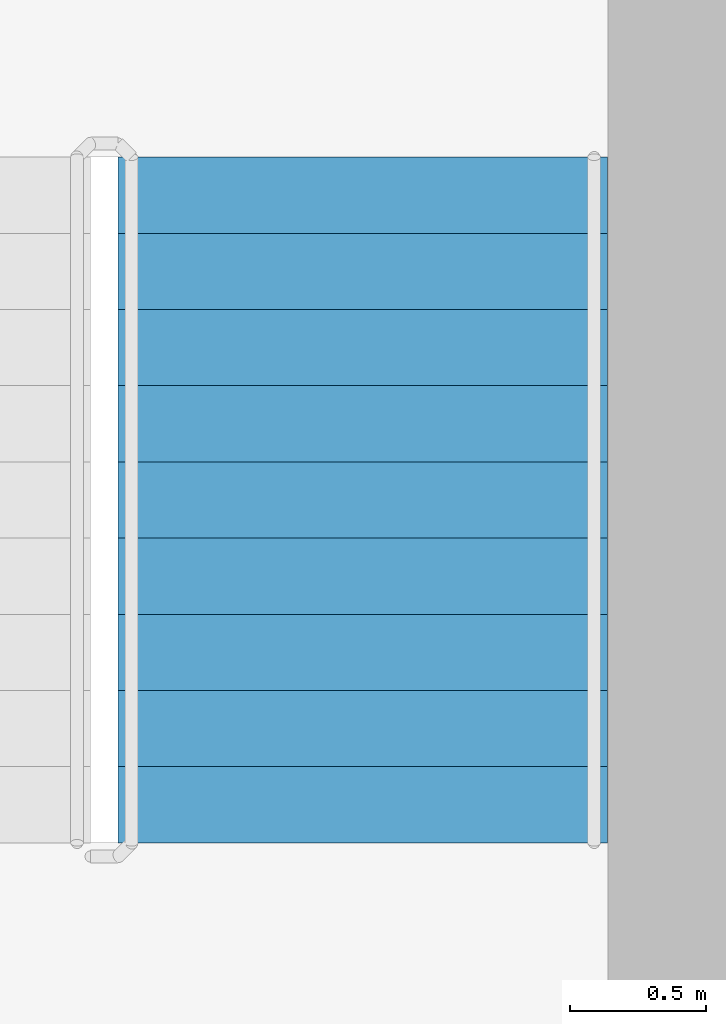
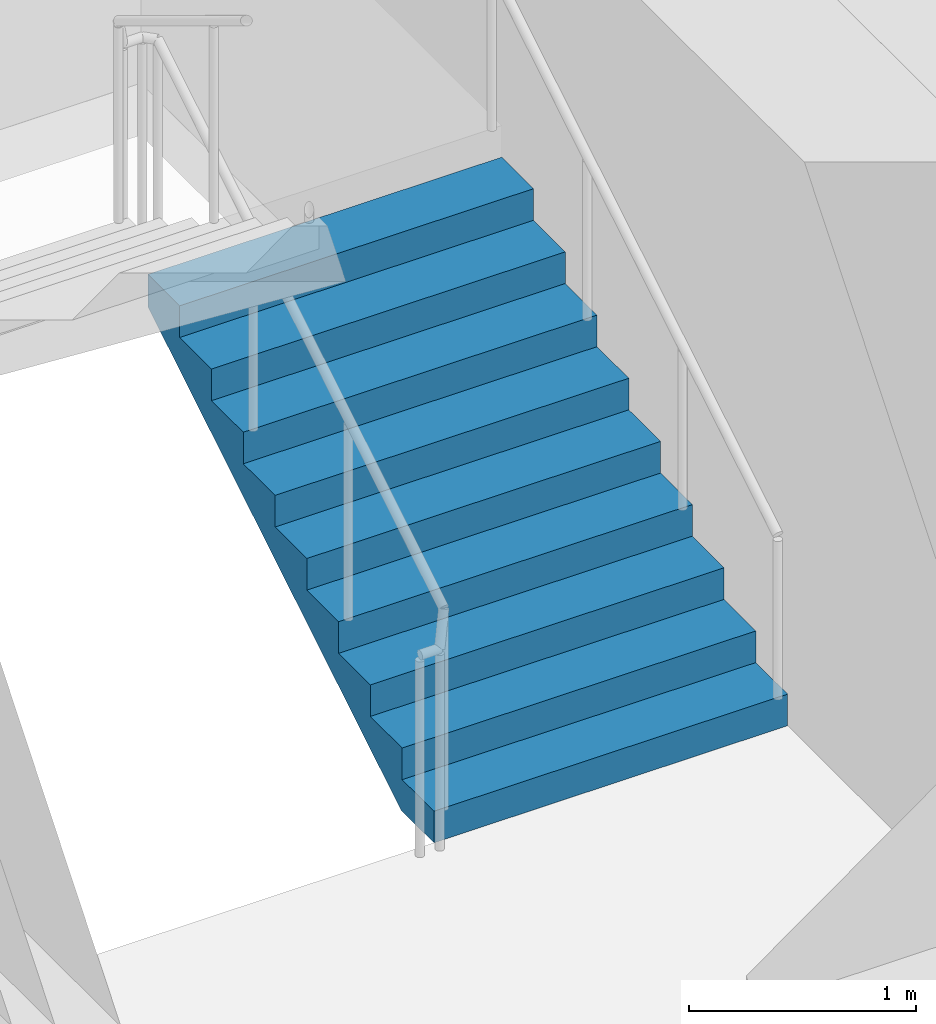
# One storey, part 12 of 21: 1 stair flight, 1 element without a shape of its own.
"""IFC4 building model written with IfcOpenShell, lengths in metres."""

import ifcopenshell
import ifcopenshell.guid

model = None  # the IFC model being written
_history = None  # IfcOwnerHistory: only IFC2X3 demands one
_inside = {}  # id of a spatial element -> (the spatial element, [elements in it])
_under = {}  # id of a project, library or spatial element -> (it, [spatial elements below it])
_declared = {}  # id of a project -> (the project, [libraries it declares])
_typed = {}  # id of a type object -> (the type object, [elements of that type])
_made_of = {}  # id of a material, layer set ... -> (it, [elements and type objects made of it])


def new_model(schema):
    """Start an empty IFC model of exactly this schema.

    Asked for "IFC4X3", IfcOpenShell would pick the latest addendum, in which some entities
    have other attributes; the version numbers below select the first issue.
    IFC2X3 requires an IfcOwnerHistory on every rooted entity: one is made here for all.
    """
    global model, _history
    if schema == "IFC4X3":
        model = ifcopenshell.file(schema_version=(4, 3, 0, 0))
    else:
        model = ifcopenshell.file(schema=schema)
    _inside.clear()
    _under.clear()
    _declared.clear()
    _typed.clear()
    _made_of.clear()
    _history = None
    if model.schema == "IFC2X3":
        org = make("IfcOrganization", Name="unknown")
        user = make(
            "IfcPersonAndOrganization",
            ThePerson=make("IfcPerson", FamilyName="unknown"),
            TheOrganization=org,
        )
        app = make(
            "IfcApplication",
            ApplicationDeveloper=org,
            Version="unknown",
            ApplicationFullName="unknown",
            ApplicationIdentifier="unknown",
        )
        _history = make(
            "IfcOwnerHistory",
            OwningUser=user,
            OwningApplication=app,
            ChangeAction="ADDED",
            CreationDate=0,
        )
    return model


def make(cls, **values):
    """One entity of the class cls with the attributes given. An attribute that is None is left unset."""
    return model.create_entity(
        cls, **{name: value for name, value in values.items() if value is not None}
    )


def rooted(cls, **values):
    """An entity with a GlobalId (a new one), such as an element, a storey or a relation."""
    return make(cls, GlobalId=ifcopenshell.guid.new(), OwnerHistory=_history, **values)


def si_unit(unit_type, name, prefix=None):
    """IfcSIUnit, for example si_unit("LENGTHUNIT", "METRE", prefix="MILLI")."""
    return make("IfcSIUnit", UnitType=unit_type, Prefix=prefix, Name=name)


def assignment(units):
    """IfcUnitAssignment: the units of a project."""
    return None if units is None else make("IfcUnitAssignment", Units=units)


def point(xyz):
    """IfcCartesianPoint."""
    return None if xyz is None else make("IfcCartesianPoint", Coordinates=xyz)


def direction(xyz):
    """IfcDirection."""
    return None if xyz is None else make("IfcDirection", DirectionRatios=xyz)


def frame(location, z_axis=None, x_axis=None):
    """IfcAxis2Placement3D, a coordinate frame: its origin and axes. An axis left out is left unset."""
    return make(
        "IfcAxis2Placement3D",
        Location=point(location),
        Axis=direction(z_axis),
        RefDirection=direction(x_axis),
    )


def origin():
    """The frame at (0, 0, 0) with its axes left unset."""
    return frame((0.0, 0.0, 0.0))


def place(relative_to, where):
    """IfcLocalPlacement: puts the frame where relative to a parent placement (None: the world)."""
    return make(
        "IfcLocalPlacement", PlacementRelTo=relative_to, RelativePlacement=where
    )


def context(
    kind, dimensions, precision=None, world=None, true_north=None, identifier=None
):
    """IfcGeometricRepresentationContext, for example the 3D "Model" context."""
    return make(
        "IfcGeometricRepresentationContext",
        ContextIdentifier=identifier,
        ContextType=kind,
        CoordinateSpaceDimension=dimensions,
        Precision=precision,
        WorldCoordinateSystem=world,
        TrueNorth=true_north,
    )


def subcontext(parent, identifier, kind, view, scale=None):
    """IfcGeometricRepresentationSubContext, for example "Body" below "Model"."""
    return make(
        "IfcGeometricRepresentationSubContext",
        ContextIdentifier=identifier,
        ContextType=kind,
        ParentContext=parent,
        TargetScale=scale,
        TargetView=view,
    )


def project(units=None, contexts=None):
    """IfcProject with its units and contexts."""
    return rooted(
        "IfcProject",
        Name="project",
        RepresentationContexts=contexts,
        UnitsInContext=assignment(units),
    )


def spatial(cls, under=None, at=None, **own):
    """A site, building, storey or space (cls), placed at a placement, below another one or the project."""
    s = rooted(cls, ObjectPlacement=at, **own)
    if under is not None:
        _under.setdefault(under.id(), (under, []))[1].append(s)
    return s


def point_list(points):
    """IfcCartesianPointList2D or 3D."""
    cls = (
        "IfcCartesianPointList2D" if len(points[0]) == 2 else "IfcCartesianPointList3D"
    )
    return make(cls, CoordList=points)


def triangles(points, corners, closed=None, point_numbers=None):
    """IfcTriangulatedFaceSet: each triangle names its three corners, points numbered from 1."""
    return make(
        "IfcTriangulatedFaceSet",
        Coordinates=point_list(points),
        Closed=closed,
        CoordIndex=corners,
        PnIndex=point_numbers,
    )


def shape(context_of_items, identifier, shape_type, items):
    """IfcShapeRepresentation: the items that make up one representation, for example the "Body"."""
    return make(
        "IfcShapeRepresentation",
        ContextOfItems=context_of_items,
        RepresentationIdentifier=identifier,
        RepresentationType=shape_type,
        Items=items,
    )


def source(mapping_origin, context_of_items, identifier, shape_type, items):
    """IfcRepresentationMap: a shape defined once, which mapped items show again and again."""
    return make(
        "IfcRepresentationMap",
        MappingOrigin=mapping_origin,
        MappedRepresentation=shape(context_of_items, identifier, shape_type, items),
    )


def transform(
    local_origin,
    x_axis=None,
    y_axis=None,
    z_axis=None,
    scale=None,
    scale2=None,
    scale3=None,
    uniform=True,
):
    """IfcCartesianTransformationOperator3D, or its non-uniform kind. x_axis, y_axis, z_axis: its Axis1, 2, 3."""
    if uniform:
        return make(
            "IfcCartesianTransformationOperator3D",
            Axis1=direction(x_axis),
            Axis2=direction(y_axis),
            LocalOrigin=point(local_origin),
            Scale=scale,
            Axis3=direction(z_axis),
        )
    return make(
        "IfcCartesianTransformationOperator3DnonUniform",
        Axis1=direction(x_axis),
        Axis2=direction(y_axis),
        LocalOrigin=point(local_origin),
        Scale=scale,
        Axis3=direction(z_axis),
        Scale2=scale2,
        Scale3=scale3,
    )


def mapped(mapping_source, mapping_target):
    """IfcMappedItem: shows the shape of a source again, moved by a transform."""
    return make(
        "IfcMappedItem", MappingSource=mapping_source, MappingTarget=mapping_target
    )


def material(Name=None, Category=None):
    """IfcMaterial."""
    return make("IfcMaterial", Name=Name, Category=Category)


def made_of(thing, what):
    """Note that an element or type object is made of a material, layer set ...; save() writes the relation."""
    if what is not None:
        _made_of.setdefault(what.id(), (what, []))[1].append(thing)
    return thing


def type_object(cls, material=None, **own):
    """A type object (cls), such as IfcWallType, which elements share."""
    return made_of(rooted(cls, **own), material)


def element(
    cls,
    number,
    at=None,
    inside=None,
    cuts=None,
    type_object=None,
    material=None,
    context=None,
    identifier="Body",
    shape_type=None,
    held_by="IfcProductDefinitionShape",
    body=None,
    shapes=None,
    **own,
):
    """One element of the class cls, such as IfcWall. Its Tag is "e" and its number.

    at: its placement. inside: the storey or other place that contains it. cuts: it is an
    opening in that element (IfcRelVoidsElement). A single representation is given by context,
    identifier, shape_type and body (its items); several are given by shapes. held_by: the class
    of the entity that holds the representations. save() writes the other relations.
    """
    e = rooted(cls, Tag="e%d" % number, ObjectPlacement=at, **own)
    if body is not None:
        shapes = [shape(context, identifier, shape_type, body)]
    if shapes is not None:
        e.Representation = make(held_by, Representations=shapes)
    if inside is not None:
        _inside.setdefault(inside.id(), (inside, []))[1].append(e)
    if cuts is not None:
        rooted(
            "IfcRelVoidsElement", RelatingBuildingElement=cuts, RelatedOpeningElement=e
        )
    if type_object is not None:
        _typed.setdefault(type_object.id(), (type_object, []))[1].append(e)
    return made_of(e, material)


def aggregate(whole, parts):
    """IfcRelAggregates: a whole, such as a stair, and the parts it consists of."""
    return rooted("IfcRelAggregates", RelatingObject=whole, RelatedObjects=parts)


def save(model, path):
    """Write the relations noted so far, then the file.

    IfcRelAggregates (storeys below a building ...), IfcRelContainedInSpatialStructure (elements
    in a storey), IfcRelDefinesByType, IfcRelAssociatesMaterial and IfcRelDeclares: one each for
    every whole, place, type object, material and project.
    """
    for whole, parts in _under.values():
        aggregate(whole, parts)
    for where, things in _inside.values():
        rooted(
            "IfcRelContainedInSpatialStructure",
            RelatedElements=things,
            RelatingStructure=where,
        )
    for kind, things in _typed.values():
        rooted("IfcRelDefinesByType", RelatedObjects=things, RelatingType=kind)
    for what, things in _made_of.values():
        rooted("IfcRelAssociatesMaterial", RelatedObjects=things, RelatingMaterial=what)
    for by, libraries in _declared.values():
        rooted("IfcRelDeclares", RelatingContext=by, RelatedDefinitions=libraries)
    model.write(path)


model = new_model("IFC4")

# Units and contexts
model_context = context("Model", 3, precision=1e-05, world=origin(), true_north=direction((0.0, 1.0)))
body_context = subcontext(model_context, "Body", "Model", "MODEL_VIEW")
ifc_project = project(units=[si_unit("LENGTHUNIT", "METRE"), si_unit("AREAUNIT", "SQUARE_METRE"), si_unit("VOLUMEUNIT", "CUBIC_METRE"), si_unit("PLANEANGLEUNIT", "RADIAN"), si_unit("MASSUNIT", "GRAM", prefix="KILO")], contexts=[model_context])

# Site, building, storey
site_placement = place(None, origin())
site = spatial("IfcSite", under=ifc_project, at=site_placement, CompositionType="ELEMENT")
building_placement = place(site_placement, origin())
building = spatial("IfcBuilding", under=site, at=building_placement, Name="Kilnfold Tower and Market Hall", CompositionType="ELEMENT")
storey_placement = place(building_placement, frame((0.0, 0.0, 185.5)))
storey = spatial("IfcBuildingStorey", under=building, at=storey_placement, Name="L44", CompositionType="ELEMENT", Elevation=185.5)

# Stair, stair flight
ifc_material_1 = material(Name="Concrete C40/50", Category="concrete")
stair_type = type_object("IfcStairType", Name="CORE STAIR 1800", PredefinedType="HALF_TURN_STAIR", material=ifc_material_1)
stair_placement = place(storey_placement, origin())
stair = element("IfcStair", 1, at=stair_placement, inside=storey, type_object=stair_type, Name="L44 ST2", PredefinedType="HALF_TURN_STAIR")
ifc_material_2 = material(Name="Concrete C40/50", Category="concrete")
stair_flight_type = type_object("IfcStairFlightType", Name="CORE STAIR FLIGHT 1800", PredefinedType="STRAIGHT", material=ifc_material_2)
shared_shape = source(origin(), body_context, "Body", "Tessellation", [
    triangles([(0.0, 0.89990234375, 0.0), (0.0, 0.78759765625, 0.0), (0.0, 0.675048828125, 0.0), (0.0, 0.5625, 0.0), (0.0, 0.449951171875, 0.0), (0.0, 0.33740234375, 0.0), (0.0, 0.22509765625, 0.0), (0.0, 0.112548828125, 0.0), (0.0, 0.0, 0.0), (0.0, -0.112548828125, 0.0), (0.0, -0.22509765625, 0.0), (0.0, -0.33740234375, 0.0), (0.0, -0.449951171875, 0.0), (0.0, -0.5625, 0.0), (0.0, -0.675048828125, 0.0), (0.0, -0.78759765625, 0.0), (0.0, -0.89990234375, 0.0), (0.0, 0.89990234375, 0.169921875), (0.0, 0.78759765625, 0.169921875), (0.0, 0.675048828125, 0.169921875), (0.0, 0.5625, 0.169921875), (0.0, 0.449951171875, 0.169921875), (0.0, 0.33740234375, 0.169921875), (0.0, 0.22509765625, 0.169921875), (0.0, 0.112548828125, 0.169921875), (0.0, 0.0, 0.169921875), (0.0, -0.112548828125, 0.169921875), (0.0, -0.22509765625, 0.169921875), (0.0, -0.33740234375, 0.169921875), (0.0, -0.449951171875, 0.169921875), (0.0, -0.5625, 0.169921875), (0.0, -0.675048828125, 0.169921875), (0.0, -0.78759765625, 0.169921875), (0.0, -0.89990234375, 0.169921875), (0.280029296875, 0.89990234375, 0.169921875), (0.280029296875, 0.78759765625, 0.169921875), (0.280029296875, 0.675048828125, 0.169921875), (0.280029296875, 0.5625, 0.169921875), (0.280029296875, 0.449951171875, 0.169921875), (0.280029296875, 0.33740234375, 0.169921875), (0.280029296875, 0.22509765625, 0.169921875), (0.280029296875, 0.112548828125, 0.169921875), (0.280029296875, 0.0, 0.169921875), (0.280029296875, -0.112548828125, 0.169921875), (0.280029296875, -0.22509765625, 0.169921875), (0.280029296875, -0.33740234375, 0.169921875), (0.280029296875, -0.449951171875, 0.169921875), (0.280029296875, -0.5625, 0.169921875), (0.280029296875, -0.675048828125, 0.169921875), (0.280029296875, -0.78759765625, 0.169921875), (0.280029296875, -0.89990234375, 0.169921875), (0.280029296875, 0.89990234375, 0.340087890625), (0.280029296875, 0.78759765625, 0.340087890625), (0.280029296875, 0.675048828125, 0.340087890625), (0.280029296875, 0.5625, 0.340087890625), (0.280029296875, 0.449951171875, 0.340087890625), (0.280029296875, 0.33740234375, 0.340087890625), (0.280029296875, 0.22509765625, 0.340087890625), (0.280029296875, 0.112548828125, 0.340087890625), (0.280029296875, 0.0, 0.340087890625), (0.280029296875, -0.112548828125, 0.340087890625), (0.280029296875, -0.22509765625, 0.340087890625), (0.280029296875, -0.33740234375, 0.340087890625), (0.280029296875, -0.449951171875, 0.340087890625), (0.280029296875, -0.5625, 0.340087890625), (0.280029296875, -0.675048828125, 0.340087890625), (0.280029296875, -0.78759765625, 0.340087890625), (0.280029296875, -0.89990234375, 0.340087890625), (0.56005859375, 0.89990234375, 0.340087890625), (0.56005859375, 0.78759765625, 0.340087890625), (0.56005859375, 0.675048828125, 0.340087890625), (0.56005859375, 0.5625, 0.340087890625), (0.56005859375, 0.449951171875, 0.340087890625), (0.56005859375, 0.33740234375, 0.340087890625), (0.56005859375, 0.22509765625, 0.340087890625), (0.56005859375, 0.112548828125, 0.340087890625), (0.56005859375, 0.0, 0.340087890625), (0.56005859375, -0.112548828125, 0.340087890625), (0.56005859375, -0.22509765625, 0.340087890625), (0.56005859375, -0.33740234375, 0.340087890625), (0.56005859375, -0.449951171875, 0.340087890625), (0.56005859375, -0.5625, 0.340087890625), (0.56005859375, -0.675048828125, 0.340087890625), (0.56005859375, -0.78759765625, 0.340087890625), (0.56005859375, -0.89990234375, 0.340087890625), (0.56005859375, 0.89990234375, 0.510009765625), (0.56005859375, 0.78759765625, 0.510009765625), (0.56005859375, 0.675048828125, 0.510009765625), (0.56005859375, 0.5625, 0.510009765625), (0.56005859375, 0.449951171875, 0.510009765625), (0.56005859375, 0.33740234375, 0.510009765625), (0.56005859375, 0.22509765625, 0.510009765625), (0.56005859375, 0.112548828125, 0.510009765625), (0.56005859375, 0.0, 0.510009765625), (0.56005859375, -0.112548828125, 0.510009765625), (0.56005859375, -0.22509765625, 0.510009765625), (0.56005859375, -0.33740234375, 0.510009765625), (0.56005859375, -0.449951171875, 0.510009765625), (0.56005859375, -0.5625, 0.510009765625), (0.56005859375, -0.675048828125, 0.510009765625), (0.56005859375, -0.78759765625, 0.510009765625), (0.56005859375, -0.89990234375, 0.510009765625), (0.840087890625, 0.89990234375, 0.510009765625), (0.840087890625, 0.78759765625, 0.510009765625), (0.840087890625, 0.675048828125, 0.510009765625), (0.840087890625, 0.5625, 0.510009765625), (0.840087890625, 0.449951171875, 0.510009765625), (0.840087890625, 0.33740234375, 0.510009765625), (0.840087890625, 0.22509765625, 0.510009765625), (0.840087890625, 0.112548828125, 0.510009765625), (0.840087890625, 0.0, 0.510009765625), (0.840087890625, -0.112548828125, 0.510009765625), (0.840087890625, -0.22509765625, 0.510009765625), (0.840087890625, -0.33740234375, 0.510009765625), (0.840087890625, -0.449951171875, 0.510009765625), (0.840087890625, -0.5625, 0.510009765625), (0.840087890625, -0.675048828125, 0.510009765625), (0.840087890625, -0.78759765625, 0.510009765625), (0.840087890625, -0.89990234375, 0.510009765625), (0.840087890625, 0.89990234375, 0.679931640625), (0.840087890625, 0.78759765625, 0.679931640625), (0.840087890625, 0.675048828125, 0.679931640625), (0.840087890625, 0.5625, 0.679931640625), (0.840087890625, 0.449951171875, 0.679931640625), (0.840087890625, 0.33740234375, 0.679931640625), (0.840087890625, 0.22509765625, 0.679931640625), (0.840087890625, 0.112548828125, 0.679931640625), (0.840087890625, 0.0, 0.679931640625), (0.840087890625, -0.112548828125, 0.679931640625), (0.840087890625, -0.22509765625, 0.679931640625), (0.840087890625, -0.33740234375, 0.679931640625), (0.840087890625, -0.449951171875, 0.679931640625), (0.840087890625, -0.5625, 0.679931640625), (0.840087890625, -0.675048828125, 0.679931640625), (0.840087890625, -0.78759765625, 0.679931640625), (0.840087890625, -0.89990234375, 0.679931640625), (1.1201171875, 0.89990234375, 0.679931640625), (1.1201171875, 0.78759765625, 0.679931640625), (1.1201171875, 0.675048828125, 0.679931640625), (1.1201171875, 0.5625, 0.679931640625), (1.1201171875, 0.449951171875, 0.679931640625), (1.1201171875, 0.33740234375, 0.679931640625), (1.1201171875, 0.22509765625, 0.679931640625), (1.1201171875, 0.112548828125, 0.679931640625), (1.1201171875, 0.0, 0.679931640625), (1.1201171875, -0.112548828125, 0.679931640625), (1.1201171875, -0.22509765625, 0.679931640625), (1.1201171875, -0.33740234375, 0.679931640625), (1.1201171875, -0.449951171875, 0.679931640625), (1.1201171875, -0.5625, 0.679931640625), (1.1201171875, -0.675048828125, 0.679931640625), (1.1201171875, -0.78759765625, 0.679931640625), (1.1201171875, -0.89990234375, 0.679931640625), (1.1201171875, 0.89990234375, 0.85009765625), (1.1201171875, 0.78759765625, 0.85009765625), (1.1201171875, 0.675048828125, 0.85009765625), (1.1201171875, 0.5625, 0.85009765625), (1.1201171875, 0.449951171875, 0.85009765625), (1.1201171875, 0.33740234375, 0.85009765625), (1.1201171875, 0.22509765625, 0.85009765625), (1.1201171875, 0.112548828125, 0.85009765625), (1.1201171875, 0.0, 0.85009765625), (1.1201171875, -0.112548828125, 0.85009765625), (1.1201171875, -0.22509765625, 0.85009765625), (1.1201171875, -0.33740234375, 0.85009765625), (1.1201171875, -0.449951171875, 0.85009765625), (1.1201171875, -0.5625, 0.85009765625), (1.1201171875, -0.675048828125, 0.85009765625), (1.1201171875, -0.78759765625, 0.85009765625), (1.1201171875, -0.89990234375, 0.85009765625), (1.39990234375, 0.89990234375, 0.85009765625), (1.39990234375, 0.78759765625, 0.85009765625), (1.39990234375, 0.675048828125, 0.85009765625), (1.39990234375, 0.5625, 0.85009765625), (1.39990234375, 0.449951171875, 0.85009765625), (1.39990234375, 0.33740234375, 0.85009765625), (1.39990234375, 0.22509765625, 0.85009765625), (1.39990234375, 0.112548828125, 0.85009765625), (1.39990234375, 0.0, 0.85009765625), (1.39990234375, -0.112548828125, 0.85009765625), (1.39990234375, -0.22509765625, 0.85009765625), (1.39990234375, -0.33740234375, 0.85009765625), (1.39990234375, -0.449951171875, 0.85009765625), (1.39990234375, -0.5625, 0.85009765625), (1.39990234375, -0.675048828125, 0.85009765625), (1.39990234375, -0.78759765625, 0.85009765625), (1.39990234375, -0.89990234375, 0.85009765625), (1.39990234375, 0.89990234375, 1.02001953125), (1.39990234375, 0.78759765625, 1.02001953125), (1.39990234375, 0.675048828125, 1.02001953125), (1.39990234375, 0.5625, 1.02001953125), (1.39990234375, 0.449951171875, 1.02001953125), (1.39990234375, 0.33740234375, 1.02001953125), (1.39990234375, 0.22509765625, 1.02001953125), (1.39990234375, 0.112548828125, 1.02001953125), (1.39990234375, 0.0, 1.02001953125), (1.39990234375, -0.112548828125, 1.02001953125), (1.39990234375, -0.22509765625, 1.02001953125), (1.39990234375, -0.33740234375, 1.02001953125), (1.39990234375, -0.449951171875, 1.02001953125), (1.39990234375, -0.5625, 1.02001953125), (1.39990234375, -0.675048828125, 1.02001953125), (1.39990234375, -0.78759765625, 1.02001953125), (1.39990234375, -0.89990234375, 1.02001953125), (1.679931640625, 0.89990234375, 1.02001953125), (1.679931640625, 0.78759765625, 1.02001953125), (1.679931640625, 0.675048828125, 1.02001953125), (1.679931640625, 0.5625, 1.02001953125), (1.679931640625, 0.449951171875, 1.02001953125), (1.679931640625, 0.33740234375, 1.02001953125), (1.679931640625, 0.22509765625, 1.02001953125), (1.679931640625, 0.112548828125, 1.02001953125), (1.679931640625, 0.0, 1.02001953125), (1.679931640625, -0.112548828125, 1.02001953125), (1.679931640625, -0.22509765625, 1.02001953125), (1.679931640625, -0.33740234375, 1.02001953125), (1.679931640625, -0.449951171875, 1.02001953125), (1.679931640625, -0.5625, 1.02001953125), (1.679931640625, -0.675048828125, 1.02001953125), (1.679931640625, -0.78759765625, 1.02001953125), (1.679931640625, -0.89990234375, 1.02001953125), (1.679931640625, 0.89990234375, 1.18994140625), (1.679931640625, 0.78759765625, 1.18994140625), (1.679931640625, 0.675048828125, 1.18994140625), (1.679931640625, 0.5625, 1.18994140625), (1.679931640625, 0.449951171875, 1.18994140625), (1.679931640625, 0.33740234375, 1.18994140625), (1.679931640625, 0.22509765625, 1.18994140625), (1.679931640625, 0.112548828125, 1.18994140625), (1.679931640625, 0.0, 1.18994140625), (1.679931640625, -0.112548828125, 1.18994140625), (1.679931640625, -0.22509765625, 1.18994140625), (1.679931640625, -0.33740234375, 1.18994140625), (1.679931640625, -0.449951171875, 1.18994140625), (1.679931640625, -0.5625, 1.18994140625), (1.679931640625, -0.675048828125, 1.18994140625), (1.679931640625, -0.78759765625, 1.18994140625), (1.679931640625, -0.89990234375, 1.18994140625), (1.9599609375, 0.89990234375, 1.18994140625), (1.9599609375, 0.78759765625, 1.18994140625), (1.9599609375, 0.675048828125, 1.18994140625), (1.9599609375, 0.5625, 1.18994140625), (1.9599609375, 0.449951171875, 1.18994140625), (1.9599609375, 0.33740234375, 1.18994140625), (1.9599609375, 0.22509765625, 1.18994140625), (1.9599609375, 0.112548828125, 1.18994140625), (1.9599609375, 0.0, 1.18994140625), (1.9599609375, -0.112548828125, 1.18994140625), (1.9599609375, -0.22509765625, 1.18994140625), (1.9599609375, -0.33740234375, 1.18994140625), (1.9599609375, -0.449951171875, 1.18994140625), (1.9599609375, -0.5625, 1.18994140625), (1.9599609375, -0.675048828125, 1.18994140625), (1.9599609375, -0.78759765625, 1.18994140625), (1.9599609375, -0.89990234375, 1.18994140625), (1.9599609375, 0.89990234375, 1.360107421875), (1.9599609375, 0.78759765625, 1.360107421875), (1.9599609375, 0.675048828125, 1.360107421875), (1.9599609375, 0.5625, 1.360107421875), (1.9599609375, 0.449951171875, 1.360107421875), (1.9599609375, 0.33740234375, 1.360107421875), (1.9599609375, 0.22509765625, 1.360107421875), (1.9599609375, 0.112548828125, 1.360107421875), (1.9599609375, 0.0, 1.360107421875), (1.9599609375, -0.112548828125, 1.360107421875), (1.9599609375, -0.22509765625, 1.360107421875), (1.9599609375, -0.33740234375, 1.360107421875), (1.9599609375, -0.449951171875, 1.360107421875), (1.9599609375, -0.5625, 1.360107421875), (1.9599609375, -0.675048828125, 1.360107421875), (1.9599609375, -0.78759765625, 1.360107421875), (1.9599609375, -0.89990234375, 1.360107421875), (2.239990234375, 0.89990234375, 1.360107421875), (2.239990234375, 0.78759765625, 1.360107421875), (2.239990234375, 0.675048828125, 1.360107421875), (2.239990234375, 0.5625, 1.360107421875), (2.239990234375, 0.449951171875, 1.360107421875), (2.239990234375, 0.33740234375, 1.360107421875), (2.239990234375, 0.22509765625, 1.360107421875), (2.239990234375, 0.112548828125, 1.360107421875), (2.239990234375, 0.0, 1.360107421875), (2.239990234375, -0.112548828125, 1.360107421875), (2.239990234375, -0.22509765625, 1.360107421875), (2.239990234375, -0.33740234375, 1.360107421875), (2.239990234375, -0.449951171875, 1.360107421875), (2.239990234375, -0.5625, 1.360107421875), (2.239990234375, -0.675048828125, 1.360107421875), (2.239990234375, -0.78759765625, 1.360107421875), (2.239990234375, -0.89990234375, 1.360107421875), (2.239990234375, 0.89990234375, 1.530029296875), (2.239990234375, 0.78759765625, 1.530029296875), (2.239990234375, 0.675048828125, 1.530029296875), (2.239990234375, 0.5625, 1.530029296875), (2.239990234375, 0.449951171875, 1.530029296875), (2.239990234375, 0.33740234375, 1.530029296875), (2.239990234375, 0.22509765625, 1.530029296875), (2.239990234375, 0.112548828125, 1.530029296875), (2.239990234375, 0.0, 1.530029296875), (2.239990234375, -0.112548828125, 1.530029296875), (2.239990234375, -0.22509765625, 1.530029296875), (2.239990234375, -0.33740234375, 1.530029296875), (2.239990234375, -0.449951171875, 1.530029296875), (2.239990234375, -0.5625, 1.530029296875), (2.239990234375, -0.675048828125, 1.530029296875), (2.239990234375, -0.78759765625, 1.530029296875), (2.239990234375, -0.89990234375, 1.530029296875), (2.52001953125, 0.89990234375, 1.530029296875), (2.52001953125, 0.78759765625, 1.530029296875), (2.52001953125, 0.675048828125, 1.530029296875), (2.52001953125, 0.5625, 1.530029296875), (2.52001953125, 0.449951171875, 1.530029296875), (2.52001953125, 0.33740234375, 1.530029296875), (2.52001953125, 0.22509765625, 1.530029296875), (2.52001953125, 0.112548828125, 1.530029296875), (2.52001953125, 0.0, 1.530029296875), (2.52001953125, -0.112548828125, 1.530029296875), (2.52001953125, -0.22509765625, 1.530029296875), (2.52001953125, -0.33740234375, 1.530029296875), (2.52001953125, -0.449951171875, 1.530029296875), (2.52001953125, -0.5625, 1.530029296875), (2.52001953125, -0.675048828125, 1.530029296875), (2.52001953125, -0.78759765625, 1.530029296875), (2.52001953125, -0.89990234375, 1.530029296875), (2.52001953125, 0.89990234375, 1.354736328125), (2.52001953125, 0.78759765625, 1.354736328125), (2.52001953125, 0.675048828125, 1.354736328125), (2.52001953125, 0.5625, 1.354736328125), (2.52001953125, 0.449951171875, 1.354736328125), (2.52001953125, 0.33740234375, 1.354736328125), (2.52001953125, 0.22509765625, 1.354736328125), (2.52001953125, 0.112548828125, 1.354736328125), (2.52001953125, 0.0, 1.354736328125), (2.52001953125, -0.112548828125, 1.354736328125), (2.52001953125, -0.22509765625, 1.354736328125), (2.52001953125, -0.33740234375, 1.354736328125), (2.52001953125, -0.449951171875, 1.354736328125), (2.52001953125, -0.5625, 1.354736328125), (2.52001953125, -0.675048828125, 1.354736328125), (2.52001953125, -0.78759765625, 1.354736328125), (2.52001953125, -0.89990234375, 1.354736328125), (0.288818359375, 0.89990234375, 0.0), (0.288818359375, 0.78759765625, 0.0), (0.288818359375, 0.675048828125, 0.0), (0.288818359375, 0.5625, 0.0), (0.288818359375, 0.449951171875, 0.0), (0.288818359375, 0.33740234375, 0.0), (0.288818359375, 0.22509765625, 0.0), (0.288818359375, 0.112548828125, 0.0), (0.288818359375, 0.0, 0.0), (0.288818359375, -0.112548828125, 0.0), (0.288818359375, -0.22509765625, 0.0), (0.288818359375, -0.33740234375, 0.0), (0.288818359375, -0.449951171875, 0.0), (0.288818359375, -0.5625, 0.0), (0.288818359375, -0.675048828125, 0.0), (0.288818359375, -0.78759765625, 0.0), (0.288818359375, -0.89990234375, 0.0)], [[1, 324, 341], [17, 357, 340], [324, 290, 307], [340, 323, 306], [324, 273, 290], [340, 306, 289], [324, 256, 273], [340, 289, 272], [324, 239, 256], [340, 272, 255], [239, 205, 222], [255, 238, 221], [324, 205, 239], [340, 255, 221], [205, 171, 188], [221, 204, 187], [324, 171, 205], [340, 221, 187], [171, 137, 154], [187, 170, 153], [324, 137, 171], [340, 187, 153], [137, 103, 120], [153, 136, 119], [324, 103, 137], [340, 153, 119], [103, 69, 86], [119, 102, 85], [324, 69, 103], [340, 119, 85], [69, 35, 52], [85, 68, 51], [324, 35, 69], [340, 85, 51], [1, 35, 324], [17, 340, 51], [35, 1, 18], [51, 34, 17], [1, 19, 18], [1, 2, 19], [2, 20, 19], [2, 3, 20], [3, 21, 20], [3, 4, 21], [4, 22, 21], [4, 5, 22], [5, 23, 22], [5, 6, 23], [6, 24, 23], [6, 7, 24], [7, 25, 24], [7, 8, 25], [8, 26, 25], [8, 9, 26], [9, 27, 26], [9, 10, 27], [10, 28, 27], [10, 11, 28], [11, 29, 28], [11, 12, 29], [12, 30, 29], [12, 13, 30], [13, 31, 30], [13, 14, 31], [14, 32, 31], [14, 15, 32], [15, 33, 32], [15, 16, 33], [16, 34, 33], [16, 17, 34], [18, 36, 35], [18, 19, 36], [19, 37, 36], [19, 20, 37], [20, 38, 37], [20, 21, 38], [21, 39, 38], [21, 22, 39], [22, 40, 39], [22, 23, 40], [23, 41, 40], [23, 24, 41], [24, 42, 41], [24, 25, 42], [25, 43, 42], [25, 26, 43], [26, 44, 43], [26, 27, 44], [27, 45, 44], [27, 28, 45], [28, 46, 45], [28, 29, 46], [29, 47, 46], [29, 30, 47], [30, 48, 47], [30, 31, 48], [31, 49, 48], [31, 32, 49], [32, 50, 49], [32, 33, 50], [33, 51, 50], [33, 34, 51], [35, 53, 52], [35, 36, 53], [36, 54, 53], [36, 37, 54], [37, 55, 54], [37, 38, 55], [38, 56, 55], [38, 39, 56], [39, 57, 56], [39, 40, 57], [40, 58, 57], [40, 41, 58], [41, 59, 58], [41, 42, 59], [42, 60, 59], [42, 43, 60], [43, 61, 60], [43, 44, 61], [44, 62, 61], [44, 45, 62], [45, 63, 62], [45, 46, 63], [46, 64, 63], [46, 47, 64], [47, 65, 64], [47, 48, 65], [48, 66, 65], [48, 49, 66], [49, 67, 66], [49, 50, 67], [50, 68, 67], [50, 51, 68], [52, 70, 69], [52, 53, 70], [53, 71, 70], [53, 54, 71], [54, 72, 71], [54, 55, 72], [55, 73, 72], [55, 56, 73], [56, 74, 73], [56, 57, 74], [57, 75, 74], [57, 58, 75], [58, 76, 75], [58, 59, 76], [59, 77, 76], [59, 60, 77], [60, 78, 77], [60, 61, 78], [61, 79, 78], [61, 62, 79], [62, 80, 79], [62, 63, 80], [63, 81, 80], [63, 64, 81], [64, 82, 81], [64, 65, 82], [65, 83, 82], [65, 66, 83], [66, 84, 83], [66, 67, 84], [67, 85, 84], [67, 68, 85], [69, 87, 86], [69, 70, 87], [70, 88, 87], [70, 71, 88], [71, 89, 88], [71, 72, 89], [72, 90, 89], [72, 73, 90], [73, 91, 90], [73, 74, 91], [74, 92, 91], [74, 75, 92], [75, 93, 92], [75, 76, 93], [76, 94, 93], [76, 77, 94], [77, 95, 94], [77, 78, 95], [78, 96, 95], [78, 79, 96], [79, 97, 96], [79, 80, 97], [80, 98, 97], [80, 81, 98], [81, 99, 98], [81, 82, 99], [82, 100, 99], [82, 83, 100], [83, 101, 100], [83, 84, 101], [84, 102, 101], [84, 85, 102], [86, 104, 103], [86, 87, 104], [87, 105, 104], [87, 88, 105], [88, 106, 105], [88, 89, 106], [89, 107, 106], [89, 90, 107], [90, 108, 107], [90, 91, 108], [91, 109, 108], [91, 92, 109], [92, 110, 109], [92, 93, 110], [93, 111, 110], [93, 94, 111], [94, 112, 111], [94, 95, 112], [95, 113, 112], [95, 96, 113], [96, 114, 113], [96, 97, 114], [97, 115, 114], [97, 98, 115], [98, 116, 115], [98, 99, 116], [99, 117, 116], [99, 100, 117], [100, 118, 117], [100, 101, 118], [101, 119, 118], [101, 102, 119], [103, 121, 120], [103, 104, 121], [104, 122, 121], [104, 105, 122], [105, 123, 122], [105, 106, 123], [106, 124, 123], [106, 107, 124], [107, 125, 124], [107, 108, 125], [108, 126, 125], [108, 109, 126], [109, 127, 126], [109, 110, 127], [110, 128, 127], [110, 111, 128], [111, 129, 128], [111, 112, 129], [112, 130, 129], [112, 113, 130], [113, 131, 130], [113, 114, 131], [114, 132, 131], [114, 115, 132], [115, 133, 132], [115, 116, 133], [116, 134, 133], [116, 117, 134], [117, 135, 134], [117, 118, 135], [118, 136, 135], [118, 119, 136], [120, 138, 137], [120, 121, 138], [121, 139, 138], [121, 122, 139], [122, 140, 139], [122, 123, 140], [123, 141, 140], [123, 124, 141], [124, 142, 141], [124, 125, 142], [125, 143, 142], [125, 126, 143], [126, 144, 143], [126, 127, 144], [127, 145, 144], [127, 128, 145], [128, 146, 145], [128, 129, 146], [129, 147, 146], [129, 130, 147], [130, 148, 147], [130, 131, 148], [131, 149, 148], [131, 132, 149], [132, 150, 149], [132, 133, 150], [133, 151, 150], [133, 134, 151], [134, 152, 151], [134, 135, 152], [135, 153, 152], [135, 136, 153], [137, 155, 154], [137, 138, 155], [138, 156, 155], [138, 139, 156], [139, 157, 156], [139, 140, 157], [140, 158, 157], [140, 141, 158], [141, 159, 158], [141, 142, 159], [142, 160, 159], [142, 143, 160], [143, 161, 160], [143, 144, 161], [144, 162, 161], [144, 145, 162], [145, 163, 162], [145, 146, 163], [146, 164, 163], [146, 147, 164], [147, 165, 164], [147, 148, 165], [148, 166, 165], [148, 149, 166], [149, 167, 166], [149, 150, 167], [150, 168, 167], [150, 151, 168], [151, 169, 168], [151, 152, 169], [152, 170, 169], [152, 153, 170], [154, 172, 171], [154, 155, 172], [155, 173, 172], [155, 156, 173], [156, 174, 173], [156, 157, 174], [157, 175, 174], [157, 158, 175], [158, 176, 175], [158, 159, 176], [159, 177, 176], [159, 160, 177], [160, 178, 177], [160, 161, 178], [161, 179, 178], [161, 162, 179], [162, 180, 179], [162, 163, 180], [163, 181, 180], [163, 164, 181], [164, 182, 181], [164, 165, 182], [165, 183, 182], [165, 166, 183], [166, 184, 183], [166, 167, 184], [167, 185, 184], [167, 168, 185], [168, 186, 185], [168, 169, 186], [169, 187, 186], [169, 170, 187], [171, 189, 188], [171, 172, 189], [172, 190, 189], [172, 173, 190], [173, 191, 190], [173, 174, 191], [174, 192, 191], [174, 175, 192], [175, 193, 192], [175, 176, 193], [176, 194, 193], [176, 177, 194], [177, 195, 194], [177, 178, 195], [178, 196, 195], [178, 179, 196], [179, 197, 196], [179, 180, 197], [180, 198, 197], [180, 181, 198], [181, 199, 198], [181, 182, 199], [182, 200, 199], [182, 183, 200], [183, 201, 200], [183, 184, 201], [184, 202, 201], [184, 185, 202], [185, 203, 202], [185, 186, 203], [186, 204, 203], [186, 187, 204], [188, 206, 205], [188, 189, 206], [189, 207, 206], [189, 190, 207], [190, 208, 207], [190, 191, 208], [191, 209, 208], [191, 192, 209], [192, 210, 209], [192, 193, 210], [193, 211, 210], [193, 194, 211], [194, 212, 211], [194, 195, 212], [195, 213, 212], [195, 196, 213], [196, 214, 213], [196, 197, 214], [197, 215, 214], [197, 198, 215], [198, 216, 215], [198, 199, 216], [199, 217, 216], [199, 200, 217], [200, 218, 217], [200, 201, 218], [201, 219, 218], [201, 202, 219], [202, 220, 219], [202, 203, 220], [203, 221, 220], [203, 204, 221], [205, 223, 222], [205, 206, 223], [206, 224, 223], [206, 207, 224], [207, 225, 224], [207, 208, 225], [208, 226, 225], [208, 209, 226], [209, 227, 226], [209, 210, 227], [210, 228, 227], [210, 211, 228], [211, 229, 228], [211, 212, 229], [212, 230, 229], [212, 213, 230], [213, 231, 230], [213, 214, 231], [214, 232, 231], [214, 215, 232], [215, 233, 232], [215, 216, 233], [216, 234, 233], [216, 217, 234], [217, 235, 234], [217, 218, 235], [218, 236, 235], [218, 219, 236], [219, 237, 236], [219, 220, 237], [220, 238, 237], [220, 221, 238], [222, 240, 239], [222, 223, 240], [223, 241, 240], [223, 224, 241], [224, 242, 241], [224, 225, 242], [225, 243, 242], [225, 226, 243], [226, 244, 243], [226, 227, 244], [227, 245, 244], [227, 228, 245], [228, 246, 245], [228, 229, 246], [229, 247, 246], [229, 230, 247], [230, 248, 247], [230, 231, 248], [231, 249, 248], [231, 232, 249], [232, 250, 249], [232, 233, 250], [233, 251, 250], [233, 234, 251], [234, 252, 251], [234, 235, 252], [235, 253, 252], [235, 236, 253], [236, 254, 253], [236, 237, 254], [237, 255, 254], [237, 238, 255], [239, 257, 256], [239, 240, 257], [240, 258, 257], [240, 241, 258], [241, 259, 258], [241, 242, 259], [242, 260, 259], [242, 243, 260], [243, 261, 260], [243, 244, 261], [244, 262, 261], [244, 245, 262], [245, 263, 262], [245, 246, 263], [246, 264, 263], [246, 247, 264], [247, 265, 264], [247, 248, 265], [248, 266, 265], [248, 249, 266], [249, 267, 266], [249, 250, 267], [250, 268, 267], [250, 251, 268], [251, 269, 268], [251, 252, 269], [252, 270, 269], [252, 253, 270], [253, 271, 270], [253, 254, 271], [254, 272, 271], [254, 255, 272], [256, 274, 273], [256, 257, 274], [257, 275, 274], [257, 258, 275], [258, 276, 275], [258, 259, 276], [259, 277, 276], [259, 260, 277], [260, 278, 277], [260, 261, 278], [261, 279, 278], [261, 262, 279], [262, 280, 279], [262, 263, 280], [263, 281, 280], [263, 264, 281], [264, 282, 281], [264, 265, 282], [265, 283, 282], [265, 266, 283], [266, 284, 283], [266, 267, 284], [267, 285, 284], [267, 268, 285], [268, 286, 285], [268, 269, 286], [269, 287, 286], [269, 270, 287], [270, 288, 287], [270, 271, 288], [271, 289, 288], [271, 272, 289], [273, 291, 290], [273, 274, 291], [274, 292, 291], [274, 275, 292], [275, 293, 292], [275, 276, 293], [276, 294, 293], [276, 277, 294], [277, 295, 294], [277, 278, 295], [278, 296, 295], [278, 279, 296], [279, 297, 296], [279, 280, 297], [280, 298, 297], [280, 281, 298], [281, 299, 298], [281, 282, 299], [282, 300, 299], [282, 283, 300], [283, 301, 300], [283, 284, 301], [284, 302, 301], [284, 285, 302], [285, 303, 302], [285, 286, 303], [286, 304, 303], [286, 287, 304], [287, 305, 304], [287, 288, 305], [288, 306, 305], [288, 289, 306], [290, 308, 307], [290, 291, 308], [291, 309, 308], [291, 292, 309], [292, 310, 309], [292, 293, 310], [293, 311, 310], [293, 294, 311], [294, 312, 311], [294, 295, 312], [295, 313, 312], [295, 296, 313], [296, 314, 313], [296, 297, 314], [297, 315, 314], [297, 298, 315], [298, 316, 315], [298, 299, 316], [299, 317, 316], [299, 300, 317], [300, 318, 317], [300, 301, 318], [301, 319, 318], [301, 302, 319], [302, 320, 319], [302, 303, 320], [303, 321, 320], [303, 304, 321], [304, 322, 321], [304, 305, 322], [305, 323, 322], [305, 306, 323], [307, 325, 324], [307, 308, 325], [308, 326, 325], [308, 309, 326], [309, 327, 326], [309, 310, 327], [310, 328, 327], [310, 311, 328], [311, 329, 328], [311, 312, 329], [312, 330, 329], [312, 313, 330], [313, 331, 330], [313, 314, 331], [314, 332, 331], [314, 315, 332], [315, 333, 332], [315, 316, 333], [316, 334, 333], [316, 317, 334], [317, 335, 334], [317, 318, 335], [318, 336, 335], [318, 319, 336], [319, 337, 336], [319, 320, 337], [320, 338, 337], [320, 321, 338], [321, 339, 338], [321, 322, 339], [322, 340, 339], [322, 323, 340], [324, 342, 341], [324, 325, 342], [325, 343, 342], [325, 326, 343], [326, 344, 343], [326, 327, 344], [327, 345, 344], [327, 328, 345], [328, 346, 345], [328, 329, 346], [329, 347, 346], [329, 330, 347], [330, 348, 347], [330, 331, 348], [331, 349, 348], [331, 332, 349], [332, 350, 349], [332, 333, 350], [333, 351, 350], [333, 334, 351], [334, 352, 351], [334, 335, 352], [335, 353, 352], [335, 336, 353], [336, 354, 353], [336, 337, 354], [337, 355, 354], [337, 338, 355], [338, 356, 355], [338, 339, 356], [339, 357, 356], [339, 340, 357], [341, 2, 1], [341, 342, 2], [342, 3, 2], [342, 343, 3], [343, 4, 3], [343, 344, 4], [344, 5, 4], [344, 345, 5], [345, 6, 5], [345, 346, 6], [346, 7, 6], [346, 347, 7], [347, 8, 7], [347, 348, 8], [348, 9, 8], [348, 349, 9], [349, 10, 9], [349, 350, 10], [350, 11, 10], [350, 351, 11], [351, 12, 11], [351, 352, 12], [352, 13, 12], [352, 353, 13], [353, 14, 13], [353, 354, 14], [354, 15, 14], [354, 355, 15], [355, 16, 15], [355, 356, 16], [356, 17, 16], [356, 357, 17]], closed=True),
])
stair_flight_placement = place(storey_placement, frame((16.199951171875, 10.800048828125, 0.0), z_axis=(0.0, 0.0, 1.0), x_axis=(0.0, 1.0, 0.0)))
stair_flight = element("IfcStairFlight", 2, at=stair_flight_placement, type_object=stair_flight_type, Name="ST2 flight 1", NumberOfRisers=10, NumberOfTreads=9, PredefinedType="STRAIGHT", RiserHeight=0.17, TreadLength=0.28, context=body_context, shape_type="MappedRepresentation", body=[
    mapped(shared_shape, transform((0.0, 0.0, 0.0))),
])
aggregate(stair, [stair_flight])

save(model, "model.ifc")
